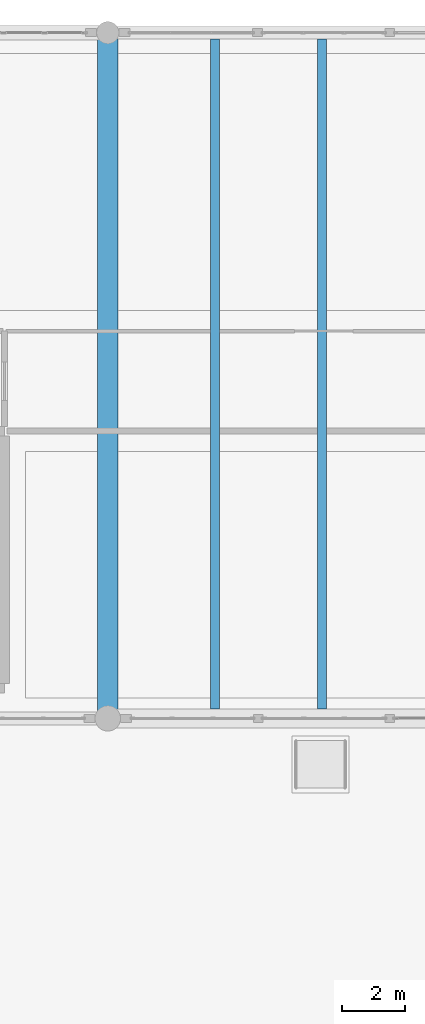
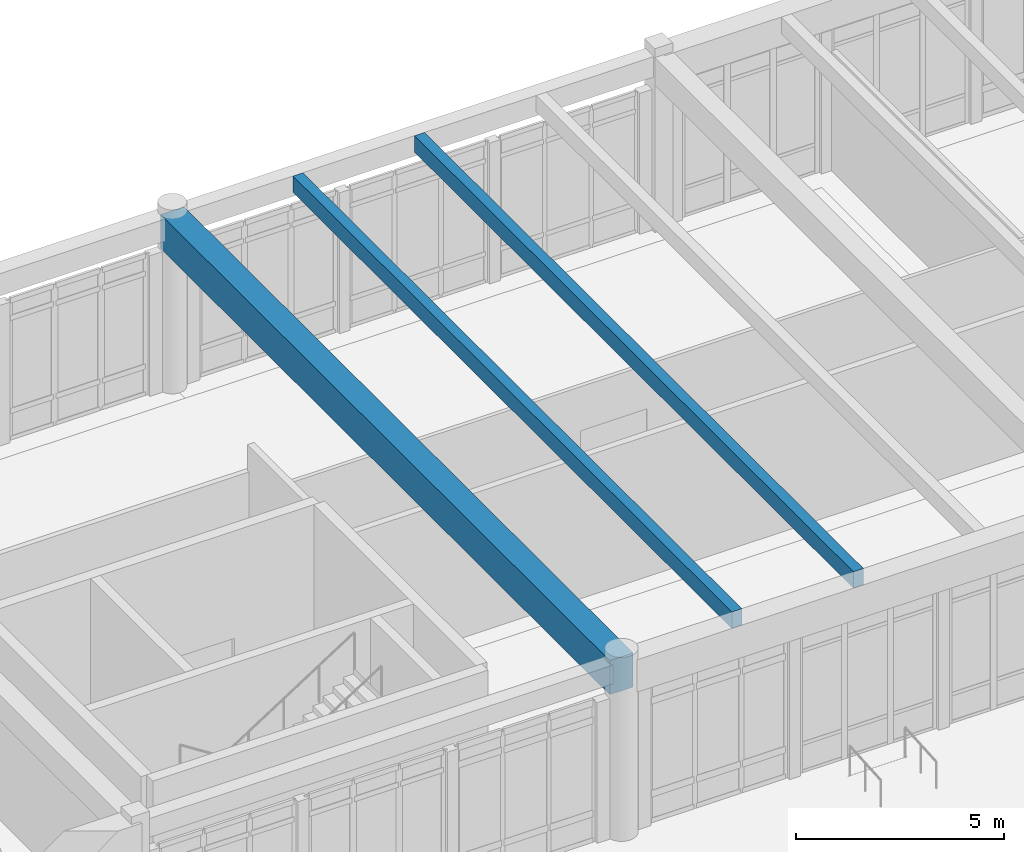
# One storey, part 51 of 138: 3 beams.
"""IFC4 building model written with IfcOpenShell, lengths in metres."""

from ifc_helpers import new_model, si_unit, direction, frame, origin, origin_2d, place, context, subcontext, project, spatial, rectangle, extrude, material, material_profile, profile_set, type_object, element, save


model = new_model("IFC4")

# Units and contexts
model_context = context("Model", 3, precision=1e-05, world=origin(), true_north=direction((0.0, 1.0)))
body_context = subcontext(model_context, "Body", "Model", "MODEL_VIEW")
ifc_project = project(units=[si_unit("LENGTHUNIT", "METRE"), si_unit("AREAUNIT", "SQUARE_METRE"), si_unit("VOLUMEUNIT", "CUBIC_METRE"), si_unit("PLANEANGLEUNIT", "RADIAN"), si_unit("MASSUNIT", "GRAM", prefix="KILO")], contexts=[model_context])

# Site, building, storey
site_placement = place(None, origin())
site = spatial("IfcSite", under=ifc_project, at=site_placement, CompositionType="ELEMENT")
building_placement = place(site_placement, origin())
building = spatial("IfcBuilding", under=site, at=building_placement, Name="Fikremerkos Civic Library", CompositionType="ELEMENT")
storey_placement = place(building_placement, origin())
storey = spatial("IfcBuildingStorey", under=building, at=storey_placement, Name="L00", CompositionType="ELEMENT", Elevation=0.0)

# Beams
ifc_material_1 = material(Name="Concrete C40/50", Category="concrete")
ifc_material_profile_1 = material_profile(ifc_material_1, rectangle(XDim=0.280029296875, YDim=0.47998046875, at=origin_2d()), Name="RC 280x480")
ifc_profile_set_1 = profile_set([ifc_material_profile_1], Name="Concrete C40/50")
beam_type_1 = type_object("IfcBeamType", Name="Floor joist JS-04 RC 280x480", PredefinedType="JOIST", material=ifc_profile_set_1)
for number, where, z_axis, x_axis, name in (
    (1, (90.074951171875, 96.300048828125, 4.89990234375), (0.0, 1.0, 0.0), (-1.0, 0.0, 0.0), "Floor joist JS-04 L00 #333"),
    (2, (93.449951171875, 96.300048828125, 4.89990234375), (0.0, 1.0, 0.0), (-1.0, 0.0, 0.0), "Floor joist JS-04 L00 #334"),
):
    element("IfcBeam", number, at=place(storey_placement, frame(where, z_axis=z_axis, x_axis=x_axis)), inside=storey, type_object=beam_type_1, Name=name, PredefinedType="JOIST", context=body_context, shape_type="SweptSolid", body=[
        extrude(rectangle(XDim=0.280029296875, YDim=0.47998046875, at=origin_2d()), origin(), (0.0, 0.0, 1.0), 21.099853515625),
    ])
ifc_material_2 = material(Name="Concrete C45/55", Category="concrete")
ifc_material_profile_2 = material_profile(ifc_material_2, rectangle(XDim=0.64990234375, YDim=1.0, at=origin_2d()), Name="RC 650x1000")
ifc_profile_set_2 = profile_set([ifc_material_profile_2], Name="Concrete C45/55")
beam_type_2 = type_object("IfcBeamType", Name="Primary girder BM-25 RC 650x1000", PredefinedType="BEAM", material=ifc_profile_set_2)
beam_placement = place(storey_placement, frame((86.699951171875, 96.0, 4.639892578125), z_axis=(0.0, 1.0, 0.0), x_axis=(-1.0, 0.0, 0.0)))
element("IfcBeam", 3, at=beam_placement, inside=storey, type_object=beam_type_2, Name="Primary girder BM-25 L00 grid 8", PredefinedType="BEAM", context=body_context, shape_type="SweptSolid", body=[
    extrude(rectangle(XDim=0.64990234375, YDim=1.0, at=origin_2d()), origin(), (0.0, 0.0, 1.0), 21.60009765625),
])

save(model, "model.ifc")
